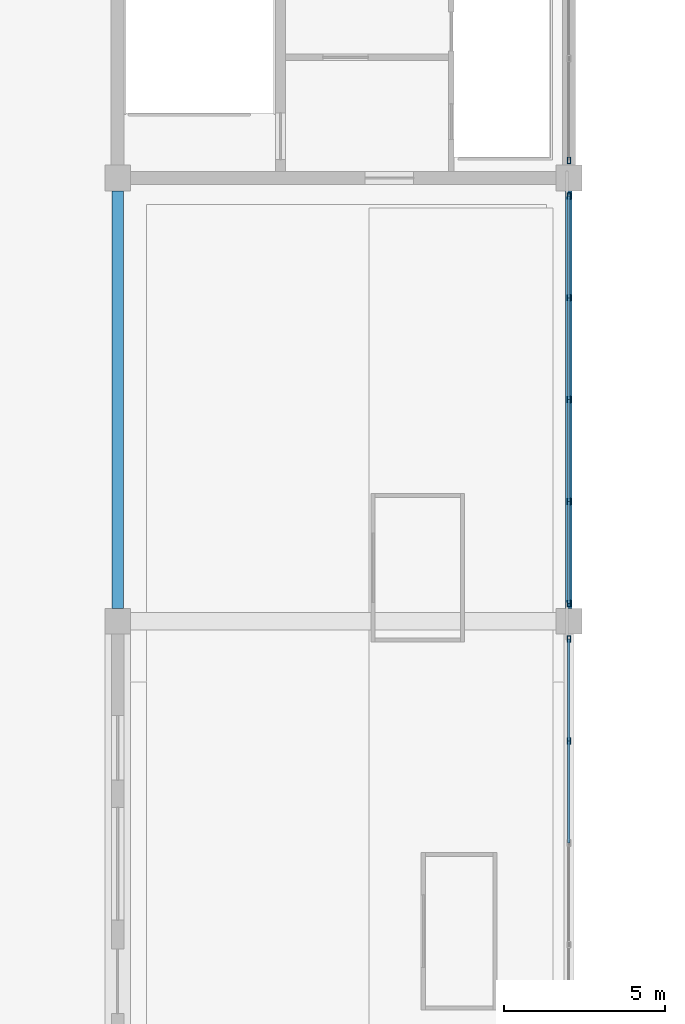
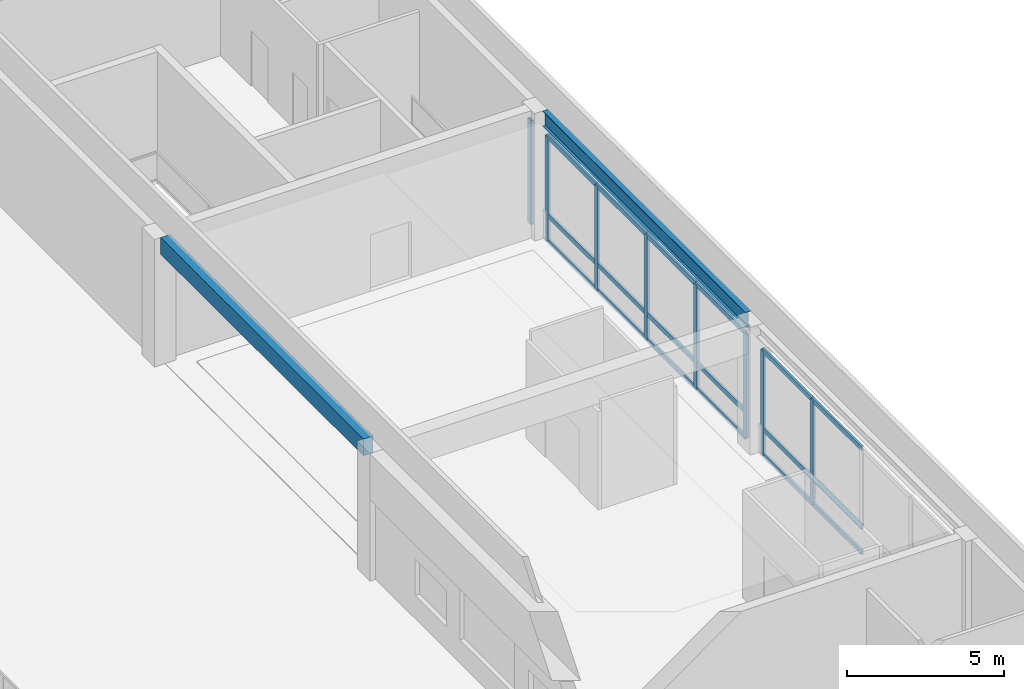
# One storey, part 17 of 113: 26 members, 2 beams, 3 elements without a shape of their own.
"""IFC4 building model written with IfcOpenShell, lengths in metres."""

from ifc_helpers import new_model, si_unit, direction, frame, origin, origin_2d, place, context, subcontext, project, spatial, rectangle, hollow_rectangle, i_section, extrude, material, material_profile, profile_set, type_object, element, aggregate, save


model = new_model("IFC4")

# Units and contexts
model_context = context("Model", 3, precision=1e-05, world=origin(), true_north=direction((0.0, 1.0)))
body_context = subcontext(model_context, "Body", "Model", "MODEL_VIEW")
ifc_project = project(units=[si_unit("LENGTHUNIT", "METRE"), si_unit("AREAUNIT", "SQUARE_METRE"), si_unit("VOLUMEUNIT", "CUBIC_METRE"), si_unit("PLANEANGLEUNIT", "RADIAN"), si_unit("MASSUNIT", "GRAM", prefix="KILO")], contexts=[model_context])

# Site, building, storey
site_placement = place(None, origin())
site = spatial("IfcSite", under=ifc_project, at=site_placement, CompositionType="ELEMENT")
building_placement = place(site_placement, origin())
building = spatial("IfcBuilding", under=site, at=building_placement, Name="Linyun Crest Stadium", CompositionType="ELEMENT")
storey_placement = place(building_placement, frame((0.0, 0.0, 26.39990234375)))
storey = spatial("IfcBuildingStorey", under=building, at=storey_placement, Name="L06", CompositionType="ELEMENT", Elevation=26.39990234375)

# Beams
ifc_material_1 = material(Name="Concrete C40", Category="concrete")
ifc_material_profile_1 = material_profile(ifc_material_1, rectangle(XDim=0.35009765625, YDim=0.64990234375, at=origin_2d()), Name="RCB 650x350")
ifc_profile_set_1 = profile_set([ifc_material_profile_1], Name="Concrete C40")
beam_type_1 = type_object("IfcBeamType", Name="B02", PredefinedType="BEAM", material=ifc_profile_set_1)
beam_1_placement = place(storey_placement, frame((-84.0, -11.22509765625, 4.64013671875), z_axis=(0.0, 1.0, 0.0), x_axis=(-1.0, 0.0, 0.0)))
element("IfcBeam", 1, at=beam_1_placement, inside=storey, type_object=beam_type_1, Name="Frame beam B02 L06 374", PredefinedType="BEAM", context=body_context, shape_type="SweptSolid", body=[
    extrude(rectangle(XDim=0.35009765625, YDim=0.64990234375, at=origin_2d()), origin(), (0.0, 0.0, 1.0), 12.9501953125),
])
ifc_material_2 = material(Name="Steel Q355C", Category="steel")
ifc_material_profile_2 = material_profile(ifc_material_2, i_section(OverallWidth=0.199951171875, OverallDepth=0.60009765625, WebThickness=0.010986328125, FlangeThickness=0.01708984375, at=origin_2d()), Name="HN 600x200")
ifc_profile_set_2 = profile_set([ifc_material_profile_2], Name="Steel Q355C")
beam_type_2 = type_object("IfcBeamType", Name="B11", PredefinedType="BEAM", material=ifc_profile_set_2)
beam_2_placement = place(storey_placement, frame((-70.0, -11.22509765625, 4.6650390625), z_axis=(0.0, 1.0, 0.0), x_axis=(-1.0, 0.0, 0.0)))
element("IfcBeam", 2, at=beam_2_placement, inside=storey, type_object=beam_type_2, Name="Frame beam B11 L06 378", PredefinedType="BEAM", context=body_context, shape_type="SweptSolid", body=[
    extrude(i_section(OverallWidth=0.199951171875, OverallDepth=0.60009765625, WebThickness=0.010986328125, FlangeThickness=0.01708984375, at=origin_2d()), origin(), (0.0, 0.0, 1.0), 12.9501953125),
])

# Curtain wall, members
ifc_material_3 = material(Name="Verdigris steel and low-E curtain wall assembly", Category="steel")
curtain_wall_type = type_object("IfcCurtainWallType", Name="MCW06", PredefinedType="NOTDEFINED", material=ifc_material_3)
curtain_wall_1_placement = place(storey_placement, origin())
curtain_wall_1 = element("IfcCurtainWall", 3, at=curtain_wall_1_placement, inside=storey, type_object=curtain_wall_type, Name="CWR-086", PredefinedType="NOTDEFINED")
ifc_material_4 = material(Name="Verdigris painted steel Q355C mullion", Category="steel")
ifc_material_profile_3 = material_profile(ifc_material_4, hollow_rectangle(XDim=0.10009765625, YDim=0.199951171875, WallThickness=0.008056640625, at=origin_2d()), Name="RHS 200x100x8")
ifc_profile_set_3 = profile_set([ifc_material_profile_3], Name="Verdigris painted steel Q355C mullion")
member_type_1 = type_object("IfcMemberType", Name="ML03", PredefinedType="MULLION", material=ifc_profile_set_3)
member_1_placement = place(storey_placement, frame((-70.0, -15.337890625, 0.0), z_axis=(0.0, 0.0, 1.0), x_axis=(-1.0, 0.0, 0.0)))
member_1 = element("IfcMember", 4, at=member_1_placement, type_object=member_type_1, Name="CWR-086 mullion 4", PredefinedType="MULLION", context=body_context, shape_type="SweptSolid", body=[
    extrude(hollow_rectangle(XDim=0.10009765625, YDim=0.199951171875, WallThickness=0.008056640625, at=origin_2d()), origin(), (0.0, 0.0, 1.0), 4.050048828125),
])
member_2_placement = place(storey_placement, frame((-70.0, -12.175048828125, 0.0), z_axis=(0.0, 0.0, 1.0), x_axis=(-1.0, 0.0, 0.0)))
member_2 = element("IfcMember", 5, at=member_2_placement, type_object=member_type_1, Name="CWR-086 mullion 5", PredefinedType="MULLION", context=body_context, shape_type="SweptSolid", body=[
    extrude(hollow_rectangle(XDim=0.10009765625, YDim=0.199951171875, WallThickness=0.008056640625, at=origin_2d()), origin(), (0.0, 0.0, 1.0), 4.050048828125),
])

curtain_wall_2_placement = place(storey_placement, origin())
curtain_wall_2 = element("IfcCurtainWall", 6, at=curtain_wall_2_placement, inside=storey, type_object=curtain_wall_type, Name="CWR-095", PredefinedType="NOTDEFINED")
member_3_placement = place(storey_placement, frame((-70.0, -11.074951171875, 0.0), z_axis=(0.0, 0.0, 1.0), x_axis=(-1.0, 0.0, 0.0)))
member_3 = element("IfcMember", 7, at=member_3_placement, type_object=member_type_1, Name="CWR-095 mullion 1", PredefinedType="MULLION", context=body_context, shape_type="SweptSolid", body=[
    extrude(hollow_rectangle(XDim=0.10009765625, YDim=0.199951171875, WallThickness=0.008056640625, at=origin_2d()), origin(), (0.0, 0.0, 1.0), 4.050048828125),
])
member_4_placement = place(storey_placement, frame((-70.0, -7.912109375, 0.0), z_axis=(0.0, 0.0, 1.0), x_axis=(-1.0, 0.0, 0.0)))
member_4 = element("IfcMember", 8, at=member_4_placement, type_object=member_type_1, Name="CWR-095 mullion 2", PredefinedType="MULLION", context=body_context, shape_type="SweptSolid", body=[
    extrude(hollow_rectangle(XDim=0.10009765625, YDim=0.199951171875, WallThickness=0.008056640625, at=origin_2d()), origin(), (0.0, 0.0, 1.0), 4.050048828125),
])
member_5_placement = place(storey_placement, frame((-70.0, -4.75, 0.0), z_axis=(0.0, 0.0, 1.0), x_axis=(-1.0, 0.0, 0.0)))
member_5 = element("IfcMember", 9, at=member_5_placement, type_object=member_type_1, Name="CWR-095 mullion 3", PredefinedType="MULLION", context=body_context, shape_type="SweptSolid", body=[
    extrude(hollow_rectangle(XDim=0.10009765625, YDim=0.199951171875, WallThickness=0.008056640625, at=origin_2d()), origin(), (0.0, 0.0, 1.0), 4.050048828125),
])
member_6_placement = place(storey_placement, frame((-70.0, -1.587890625, 0.0), z_axis=(0.0, 0.0, 1.0), x_axis=(-1.0, 0.0, 0.0)))
member_6 = element("IfcMember", 10, at=member_6_placement, type_object=member_type_1, Name="CWR-095 mullion 4", PredefinedType="MULLION", context=body_context, shape_type="SweptSolid", body=[
    extrude(hollow_rectangle(XDim=0.10009765625, YDim=0.199951171875, WallThickness=0.008056640625, at=origin_2d()), origin(), (0.0, 0.0, 1.0), 4.050048828125),
])
member_7_placement = place(storey_placement, frame((-70.0, 1.574951171875, 0.0), z_axis=(0.0, 0.0, 1.0), x_axis=(-1.0, 0.0, 0.0)))
member_7 = element("IfcMember", 11, at=member_7_placement, type_object=member_type_1, Name="CWR-095 mullion 5", PredefinedType="MULLION", context=body_context, shape_type="SweptSolid", body=[
    extrude(hollow_rectangle(XDim=0.10009765625, YDim=0.199951171875, WallThickness=0.008056640625, at=origin_2d()), origin(), (0.0, 0.0, 1.0), 4.050048828125),
])

# Curtain wall, member
curtain_wall_3_placement = place(storey_placement, origin())
curtain_wall_3 = element("IfcCurtainWall", 12, at=curtain_wall_3_placement, inside=storey, type_object=curtain_wall_type, Name="CWR-104", PredefinedType="NOTDEFINED")
member_8_placement = place(storey_placement, frame((-70.0, 2.675048828125, 0.0), z_axis=(0.0, 0.0, 1.0), x_axis=(-1.0, 0.0, 0.0)))
member_8 = element("IfcMember", 13, at=member_8_placement, type_object=member_type_1, Name="CWR-104 mullion 1", PredefinedType="MULLION", context=body_context, shape_type="SweptSolid", body=[
    extrude(hollow_rectangle(XDim=0.10009765625, YDim=0.199951171875, WallThickness=0.008056640625, at=origin_2d()), origin(), (0.0, 0.0, 1.0), 4.050048828125),
])
aggregate(curtain_wall_3, [member_8])

# Member
ifc_material_5 = material(Name="Verdigris painted steel Q355B transom", Category="steel")
ifc_material_profile_4 = material_profile(ifc_material_5, hollow_rectangle(XDim=0.080078125, YDim=0.179931640625, WallThickness=0.006103515625, at=origin_2d()), Name="RHS 180x80x6")
ifc_profile_set_4 = profile_set([ifc_material_profile_4], Name="Verdigris painted steel Q355B transom")
member_type_2 = type_object("IfcMemberType", Name="TR02", PredefinedType="USERDEFINED", material=ifc_profile_set_4)
member_9_placement = place(storey_placement, frame((-70.0, -18.5, 0.0), z_axis=(0.0, 1.0, 0.0), x_axis=(-1.0, 0.0, 0.0)))
member_9 = element("IfcMember", 14, at=member_9_placement, type_object=member_type_2, Name="CWR-086 transom 3.1", ObjectType="TRANSOM", PredefinedType="USERDEFINED", context=body_context, shape_type="SweptSolid", body=[
    extrude(hollow_rectangle(XDim=0.080078125, YDim=0.179931640625, WallThickness=0.006103515625, at=origin_2d()), origin(), (0.0, 0.0, 1.0), 3.162109375),
])

member_10_placement = place(storey_placement, frame((-70.0, -18.5, 1.0), z_axis=(0.0, 1.0, 0.0), x_axis=(-1.0, 0.0, 0.0)))
member_10 = element("IfcMember", 15, at=member_10_placement, type_object=member_type_2, Name="CWR-086 transom 3.2", ObjectType="TRANSOM", PredefinedType="USERDEFINED", context=body_context, shape_type="SweptSolid", body=[
    extrude(hollow_rectangle(XDim=0.080078125, YDim=0.179931640625, WallThickness=0.006103515625, at=origin_2d()), origin(), (0.0, 0.0, 1.0), 3.162109375),
])

member_11_placement = place(storey_placement, frame((-70.0, -18.5, 4.050048828125), z_axis=(0.0, 1.0, 0.0), x_axis=(-1.0, 0.0, 0.0)))
member_11 = element("IfcMember", 16, at=member_11_placement, type_object=member_type_2, Name="CWR-086 transom 3.3", ObjectType="TRANSOM", PredefinedType="USERDEFINED", context=body_context, shape_type="SweptSolid", body=[
    extrude(hollow_rectangle(XDim=0.080078125, YDim=0.179931640625, WallThickness=0.006103515625, at=origin_2d()), origin(), (0.0, 0.0, 1.0), 3.162109375),
])

member_12_placement = place(storey_placement, frame((-70.0, -15.337890625, 0.0), z_axis=(0.0, 1.0, 0.0), x_axis=(-1.0, 0.0, 0.0)))
member_12 = element("IfcMember", 17, at=member_12_placement, type_object=member_type_2, Name="CWR-086 transom 4.1", ObjectType="TRANSOM", PredefinedType="USERDEFINED", context=body_context, shape_type="SweptSolid", body=[
    extrude(hollow_rectangle(XDim=0.080078125, YDim=0.179931640625, WallThickness=0.006103515625, at=origin_2d()), origin(), (0.0, 0.0, 1.0), 3.162841796875),
])

member_13_placement = place(storey_placement, frame((-70.0, -15.337890625, 1.0), z_axis=(0.0, 1.0, 0.0), x_axis=(-1.0, 0.0, 0.0)))
member_13 = element("IfcMember", 18, at=member_13_placement, type_object=member_type_2, Name="CWR-086 transom 4.2", ObjectType="TRANSOM", PredefinedType="USERDEFINED", context=body_context, shape_type="SweptSolid", body=[
    extrude(hollow_rectangle(XDim=0.080078125, YDim=0.179931640625, WallThickness=0.006103515625, at=origin_2d()), origin(), (0.0, 0.0, 1.0), 3.162841796875),
])

member_14_placement = place(storey_placement, frame((-70.0, -15.337890625, 4.050048828125), z_axis=(0.0, 1.0, 0.0), x_axis=(-1.0, 0.0, 0.0)))
member_14 = element("IfcMember", 19, at=member_14_placement, type_object=member_type_2, Name="CWR-086 transom 4.3", ObjectType="TRANSOM", PredefinedType="USERDEFINED", context=body_context, shape_type="SweptSolid", body=[
    extrude(hollow_rectangle(XDim=0.080078125, YDim=0.179931640625, WallThickness=0.006103515625, at=origin_2d()), origin(), (0.0, 0.0, 1.0), 3.162841796875),
])

aggregate(curtain_wall_1, [member_1, member_2, member_9, member_10, member_11, member_12, member_13, member_14])

member_15_placement = place(storey_placement, frame((-70.0, -11.074951171875, 0.0), z_axis=(0.0, 1.0, 0.0), x_axis=(-1.0, 0.0, 0.0)))
member_15 = element("IfcMember", 20, at=member_15_placement, type_object=member_type_2, Name="CWR-095 transom 1.1", ObjectType="TRANSOM", PredefinedType="USERDEFINED", context=body_context, shape_type="SweptSolid", body=[
    extrude(hollow_rectangle(XDim=0.080078125, YDim=0.179931640625, WallThickness=0.006103515625, at=origin_2d()), origin(), (0.0, 0.0, 1.0), 3.162841796875),
])

member_16_placement = place(storey_placement, frame((-70.0, -11.074951171875, 1.0), z_axis=(0.0, 1.0, 0.0), x_axis=(-1.0, 0.0, 0.0)))
member_16 = element("IfcMember", 21, at=member_16_placement, type_object=member_type_2, Name="CWR-095 transom 1.2", ObjectType="TRANSOM", PredefinedType="USERDEFINED", context=body_context, shape_type="SweptSolid", body=[
    extrude(hollow_rectangle(XDim=0.080078125, YDim=0.179931640625, WallThickness=0.006103515625, at=origin_2d()), origin(), (0.0, 0.0, 1.0), 3.162841796875),
])

member_17_placement = place(storey_placement, frame((-70.0, -11.074951171875, 4.050048828125), z_axis=(0.0, 1.0, 0.0), x_axis=(-1.0, 0.0, 0.0)))
member_17 = element("IfcMember", 22, at=member_17_placement, type_object=member_type_2, Name="CWR-095 transom 1.3", ObjectType="TRANSOM", PredefinedType="USERDEFINED", context=body_context, shape_type="SweptSolid", body=[
    extrude(hollow_rectangle(XDim=0.080078125, YDim=0.179931640625, WallThickness=0.006103515625, at=origin_2d()), origin(), (0.0, 0.0, 1.0), 3.162841796875),
])

member_18_placement = place(storey_placement, frame((-70.0, -7.912109375, 0.0), z_axis=(0.0, 1.0, 0.0), x_axis=(-1.0, 0.0, 0.0)))
member_18 = element("IfcMember", 23, at=member_18_placement, type_object=member_type_2, Name="CWR-095 transom 2.1", ObjectType="TRANSOM", PredefinedType="USERDEFINED", context=body_context, shape_type="SweptSolid", body=[
    extrude(hollow_rectangle(XDim=0.080078125, YDim=0.179931640625, WallThickness=0.006103515625, at=origin_2d()), origin(), (0.0, 0.0, 1.0), 3.162109375),
])

member_19_placement = place(storey_placement, frame((-70.0, -7.912109375, 1.0), z_axis=(0.0, 1.0, 0.0), x_axis=(-1.0, 0.0, 0.0)))
member_19 = element("IfcMember", 24, at=member_19_placement, type_object=member_type_2, Name="CWR-095 transom 2.2", ObjectType="TRANSOM", PredefinedType="USERDEFINED", context=body_context, shape_type="SweptSolid", body=[
    extrude(hollow_rectangle(XDim=0.080078125, YDim=0.179931640625, WallThickness=0.006103515625, at=origin_2d()), origin(), (0.0, 0.0, 1.0), 3.162109375),
])

member_20_placement = place(storey_placement, frame((-70.0, -7.912109375, 4.050048828125), z_axis=(0.0, 1.0, 0.0), x_axis=(-1.0, 0.0, 0.0)))
member_20 = element("IfcMember", 25, at=member_20_placement, type_object=member_type_2, Name="CWR-095 transom 2.3", ObjectType="TRANSOM", PredefinedType="USERDEFINED", context=body_context, shape_type="SweptSolid", body=[
    extrude(hollow_rectangle(XDim=0.080078125, YDim=0.179931640625, WallThickness=0.006103515625, at=origin_2d()), origin(), (0.0, 0.0, 1.0), 3.162109375),
])

member_21_placement = place(storey_placement, frame((-70.0, -4.75, 0.0), z_axis=(0.0, 1.0, 0.0), x_axis=(-1.0, 0.0, 0.0)))
member_21 = element("IfcMember", 26, at=member_21_placement, type_object=member_type_2, Name="CWR-095 transom 3.1", ObjectType="TRANSOM", PredefinedType="USERDEFINED", context=body_context, shape_type="SweptSolid", body=[
    extrude(hollow_rectangle(XDim=0.080078125, YDim=0.179931640625, WallThickness=0.006103515625, at=origin_2d()), origin(), (0.0, 0.0, 1.0), 3.162109375),
])

member_22_placement = place(storey_placement, frame((-70.0, -4.75, 1.0), z_axis=(0.0, 1.0, 0.0), x_axis=(-1.0, 0.0, 0.0)))
member_22 = element("IfcMember", 27, at=member_22_placement, type_object=member_type_2, Name="CWR-095 transom 3.2", ObjectType="TRANSOM", PredefinedType="USERDEFINED", context=body_context, shape_type="SweptSolid", body=[
    extrude(hollow_rectangle(XDim=0.080078125, YDim=0.179931640625, WallThickness=0.006103515625, at=origin_2d()), origin(), (0.0, 0.0, 1.0), 3.162109375),
])

member_23_placement = place(storey_placement, frame((-70.0, -4.75, 4.050048828125), z_axis=(0.0, 1.0, 0.0), x_axis=(-1.0, 0.0, 0.0)))
member_23 = element("IfcMember", 28, at=member_23_placement, type_object=member_type_2, Name="CWR-095 transom 3.3", ObjectType="TRANSOM", PredefinedType="USERDEFINED", context=body_context, shape_type="SweptSolid", body=[
    extrude(hollow_rectangle(XDim=0.080078125, YDim=0.179931640625, WallThickness=0.006103515625, at=origin_2d()), origin(), (0.0, 0.0, 1.0), 3.162109375),
])

member_24_placement = place(storey_placement, frame((-70.0, -1.587890625, 0.0), z_axis=(0.0, 1.0, 0.0), x_axis=(-1.0, 0.0, 0.0)))
member_24 = element("IfcMember", 29, at=member_24_placement, type_object=member_type_2, Name="CWR-095 transom 4.1", ObjectType="TRANSOM", PredefinedType="USERDEFINED", context=body_context, shape_type="SweptSolid", body=[
    extrude(hollow_rectangle(XDim=0.080078125, YDim=0.179931640625, WallThickness=0.006103515625, at=origin_2d()), origin(), (0.0, 0.0, 1.0), 3.162841796875),
])

member_25_placement = place(storey_placement, frame((-70.0, -1.587890625, 1.0), z_axis=(0.0, 1.0, 0.0), x_axis=(-1.0, 0.0, 0.0)))
member_25 = element("IfcMember", 30, at=member_25_placement, type_object=member_type_2, Name="CWR-095 transom 4.2", ObjectType="TRANSOM", PredefinedType="USERDEFINED", context=body_context, shape_type="SweptSolid", body=[
    extrude(hollow_rectangle(XDim=0.080078125, YDim=0.179931640625, WallThickness=0.006103515625, at=origin_2d()), origin(), (0.0, 0.0, 1.0), 3.162841796875),
])

member_26_placement = place(storey_placement, frame((-70.0, -1.587890625, 4.050048828125), z_axis=(0.0, 1.0, 0.0), x_axis=(-1.0, 0.0, 0.0)))
member_26 = element("IfcMember", 31, at=member_26_placement, type_object=member_type_2, Name="CWR-095 transom 4.3", ObjectType="TRANSOM", PredefinedType="USERDEFINED", context=body_context, shape_type="SweptSolid", body=[
    extrude(hollow_rectangle(XDim=0.080078125, YDim=0.179931640625, WallThickness=0.006103515625, at=origin_2d()), origin(), (0.0, 0.0, 1.0), 3.162841796875),
])

aggregate(curtain_wall_2, [member_3, member_4, member_5, member_6, member_7, member_15, member_16, member_17, member_18, member_19, member_20, member_21, member_22, member_23, member_24, member_25, member_26])

save(model, "model.ifc")
